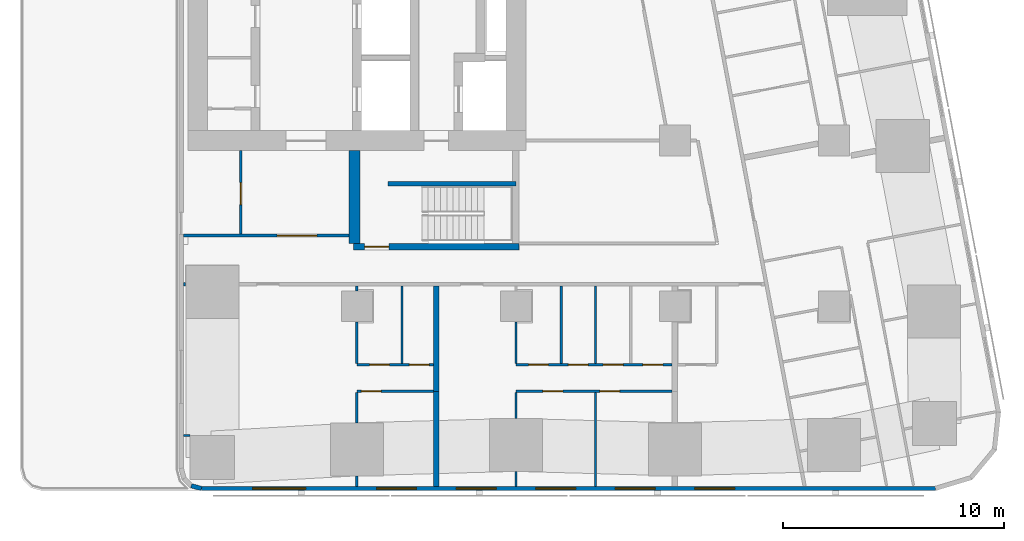
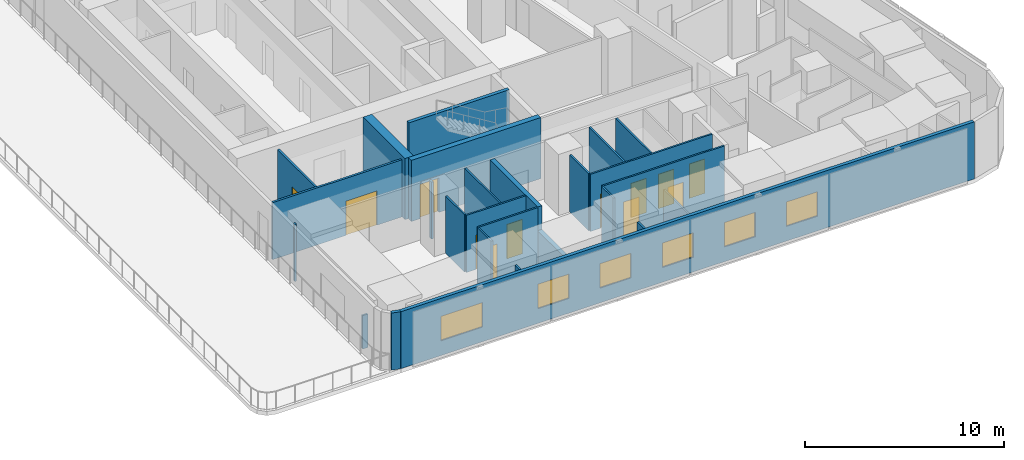
# One storey, part 2 of 11: 26 walls, 12 doors, 6 windows, 18 openings.
"""IFC4 building model written with IfcOpenShell, lengths in metres."""

from ifc_helpers import new_model, si_unit, direction, frame, frame_2d, origin, place, context, subcontext, project, spatial, rectangle, extrude, material, layer, layer_set, type_object, element, fill, save


model = new_model("IFC4")

# Units and contexts
model_context = context("Model", 3, precision=1e-05, world=origin(), true_north=direction((0.0, 1.0)))
body_context = subcontext(model_context, "Body", "Model", "MODEL_VIEW")
ifc_project = project(units=[si_unit("LENGTHUNIT", "METRE"), si_unit("AREAUNIT", "SQUARE_METRE"), si_unit("VOLUMEUNIT", "CUBIC_METRE"), si_unit("PLANEANGLEUNIT", "RADIAN"), si_unit("MASSUNIT", "GRAM", prefix="KILO")], contexts=[model_context])

# Site, building, storey
site_placement = place(None, origin())
site = spatial("IfcSite", under=ifc_project, at=site_placement, CompositionType="ELEMENT")
building_placement = place(site_placement, origin())
building = spatial("IfcBuilding", under=site, at=building_placement, Name="Sheger Commons Tower", CompositionType="ELEMENT")
storey_placement = place(building_placement, frame((0.0, 0.0, 223.699951171875)))
storey = spatial("IfcBuildingStorey", under=building, at=storey_placement, Name="L57", CompositionType="ELEMENT", Elevation=223.699951171875)

# Walls
ifc_material_1 = material(Name="Hollow concrete block masonry, skimmed both sides", Category="masonry")
ifc_layer_1 = layer(ifc_material_1, 0.14990234375)
ifc_layer_set_1 = layer_set([ifc_layer_1], Name="CORRIDOR WALL 150")
wall_type_1 = type_object("IfcWallType", Name="CORRIDOR WALL 150", PredefinedType="SOLIDWALL", material=ifc_layer_set_1)
wall_1_placement = place(storey_placement, frame((13.85302734375, 8.5, 0.0), z_axis=(0.0, 0.0, 1.0), x_axis=(-1.0, 0.0, 0.0)))
element("IfcWall", 1, at=wall_1_placement, inside=storey, type_object=wall_type_1, Name="Corridor wall L57", PredefinedType="SOLIDWALL", context=body_context, shape_type="SweptSolid", body=[
    extrude(rectangle(XDim=0.10302734375, YDim=0.14990234375, at=frame_2d((0.051513671875, 0.0))), origin(), (0.0, 0.0, 1.0), 3.5),
])
ifc_material_2 = material(Name="Dense concrete block masonry, plastered both sides (separating wall between flats)", Category="masonry")
ifc_layer_2 = layer(ifc_material_2, 0.25)
ifc_layer_set_2 = layer_set([ifc_layer_2], Name="DEMISING WALL 250")
wall_type_2 = type_object("IfcWallType", Name="DEMISING WALL 250", PredefinedType="SOLIDWALL", material=ifc_layer_set_2)
wall_2_placement = place(storey_placement, frame((25.199951171875, -0.64990234375, 0.0), z_axis=(0.0, 0.0, 1.0), x_axis=(0.0, 1.0, 0.0)))
element("IfcWall", 2, at=wall_2_placement, inside=storey, type_object=wall_type_2, Name="Demising wall L57", PredefinedType="SOLIDWALL", context=body_context, shape_type="SweptSolid", body=[
    extrude(rectangle(XDim=4.2998046875, YDim=0.25, at=frame_2d((2.14990234375, 0.0))), origin(), (0.0, 0.0, 1.0), 2.050048828125),
])
wall_3_placement = place(storey_placement, frame((25.199951171875, 3.64990234375, 0.0), z_axis=(0.0, 0.0, 1.0), x_axis=(0.0, 1.0, 0.0)))
element("IfcWall", 3, at=wall_3_placement, inside=storey, type_object=wall_type_2, Name="Demising wall L57", PredefinedType="SOLIDWALL", context=body_context, shape_type="SweptSolid", body=[
    extrude(rectangle(XDim=4.775146484375, YDim=0.25, at=frame_2d((2.3876953125, 0.0))), origin(), (0.0, 0.0, 1.0), 3.5),
])

# Wall, openings, windows
ifc_material_3 = material(Name="Rendered concrete block masonry, dark grey", Category="masonry")
ifc_layer_3 = layer(ifc_material_3, 0.199951171875)
ifc_layer_set_3 = layer_set([ifc_layer_3], Name="FACADE WALL 200")
wall_type_3 = type_object("IfcWallType", Name="FACADE WALL 200", PredefinedType="SOLIDWALL", material=ifc_layer_set_3)
wall_4_placement = place(storey_placement, frame((14.56298828125, -0.75, 0.0), z_axis=(0.0, 0.0, 1.0), x_axis=(1.0, 0.0, 0.0)))
wall_4 = element("IfcWall", 4, at=wall_4_placement, inside=storey, type_object=wall_type_3, Name="Facade wall L57", PredefinedType="SOLIDWALL", context=body_context, shape_type="SweptSolid", body=[
    extrude(rectangle(XDim=33.22802734375, YDim=0.199951171875, at=frame_2d((16.614013671875, 0.0))), origin(), (0.0, 0.0, 1.0), 3.5),
])
opening_1_placement = place(wall_4_placement, frame((2.319091796875, 0.0, 0.89990234375)))
opening_1 = element("IfcOpeningElement", 5, at=opening_1_placement, cuts=wall_4, Name="Opening W1", PredefinedType="OPENING", context=body_context, shape_type="SweptSolid", body=[
    extrude(rectangle(XDim=2.39990234375, YDim=1.5, at=frame_2d((1.199951171875, 0.75))), frame((0.0, 0.10986328125, 0.0), z_axis=(0.0, -1.0, 0.0), x_axis=(1.0, 0.0, 0.0)), (0.0, 0.0, 1.0), 0.219970703125),
])
opening_2_placement = place(wall_4_placement, frame((7.93701171875, 0.0, 0.89990234375)))
opening_2 = element("IfcOpeningElement", 6, at=opening_2_placement, cuts=wall_4, Name="Opening W2", PredefinedType="OPENING", context=body_context, shape_type="SweptSolid", body=[
    extrude(rectangle(XDim=1.800048828125, YDim=1.5, at=frame_2d((0.89990234375, 0.75))), frame((0.0, 0.10986328125, 0.0), z_axis=(0.0, -1.0, 0.0), x_axis=(1.0, 0.0, 0.0)), (0.0, 0.0, 1.0), 0.219970703125),
])
opening_3_placement = place(wall_4_placement, frame((11.537109375, 0.0, 0.89990234375)))
opening_3 = element("IfcOpeningElement", 7, at=opening_3_placement, cuts=wall_4, Name="Opening W2", PredefinedType="OPENING", context=body_context, shape_type="SweptSolid", body=[
    extrude(rectangle(XDim=1.800048828125, YDim=1.5, at=frame_2d((0.89990234375, 0.75))), frame((0.0, 0.10986328125, 0.0), z_axis=(0.0, -1.0, 0.0), x_axis=(1.0, 0.0, 0.0)), (0.0, 0.0, 1.0), 0.219970703125),
])
opening_4_placement = place(wall_4_placement, frame((15.136962890625, 0.0, 0.89990234375)))
opening_4 = element("IfcOpeningElement", 8, at=opening_4_placement, cuts=wall_4, Name="Opening W2", PredefinedType="OPENING", context=body_context, shape_type="SweptSolid", body=[
    extrude(rectangle(XDim=1.800048828125, YDim=1.5, at=frame_2d((0.89990234375, 0.75))), frame((0.0, 0.10986328125, 0.0), z_axis=(0.0, -1.0, 0.0), x_axis=(1.0, 0.0, 0.0)), (0.0, 0.0, 1.0), 0.219970703125),
])
opening_5_placement = place(wall_4_placement, frame((18.737060546875, 0.0, 0.89990234375)))
opening_5 = element("IfcOpeningElement", 9, at=opening_5_placement, cuts=wall_4, Name="Opening W2", PredefinedType="OPENING", context=body_context, shape_type="SweptSolid", body=[
    extrude(rectangle(XDim=1.800048828125, YDim=1.5, at=frame_2d((0.89990234375, 0.75))), frame((0.0, 0.10986328125, 0.0), z_axis=(0.0, -1.0, 0.0), x_axis=(1.0, 0.0, 0.0)), (0.0, 0.0, 1.0), 0.219970703125),
])
opening_6_placement = place(wall_4_placement, frame((22.3369140625, 0.0, 0.89990234375)))
opening_6 = element("IfcOpeningElement", 10, at=opening_6_placement, cuts=wall_4, Name="Opening W2", PredefinedType="OPENING", context=body_context, shape_type="SweptSolid", body=[
    extrude(rectangle(XDim=1.800048828125, YDim=1.5, at=frame_2d((0.89990234375, 0.75))), frame((0.0, 0.10986328125, 0.0), z_axis=(0.0, -1.0, 0.0), x_axis=(1.0, 0.0, 0.0)), (0.0, 0.0, 1.0), 0.219970703125),
])
ifc_material_4 = material(Name="Black aluminium frame, dark tinted double glazing", Category="aluminium")
window_type_1 = type_object("IfcWindowType", Name="WINDOW W1 2400x1500", PartitioningType="SINGLE_PANEL", PredefinedType="WINDOW", material=ifc_material_4)
window_1_placement = place(opening_1_placement, origin())
window_1 = element("IfcWindow", 11, at=window_1_placement, inside=storey, type_object=window_type_1, Name="Window W1 2400X1500", OverallHeight=1.5, OverallWidth=2.39990234375, PartitioningType="SINGLE_PANEL", PredefinedType="WINDOW", context=body_context, shape_type="SweptSolid", body=[
    extrude(rectangle(XDim=2.39990234375, YDim=1.5, at=frame_2d((1.199951171875, 0.75))), frame((0.0, 0.030029296875, 0.0), z_axis=(0.0, -1.0, 0.0), x_axis=(1.0, 0.0, 0.0)), (0.0, 0.0, 1.0), 0.06005859375),
])
fill(opening_1, window_1)
ifc_material_5 = material(Name="Black aluminium frame, dark tinted double glazing", Category="aluminium")
window_type_2 = type_object("IfcWindowType", Name="WINDOW W2 1800x1500", PartitioningType="SINGLE_PANEL", PredefinedType="WINDOW", material=ifc_material_5)
window_2_placement = place(opening_2_placement, origin())
window_2 = element("IfcWindow", 12, at=window_2_placement, inside=storey, type_object=window_type_2, Name="Window W2 1800X1500", OverallHeight=1.5, OverallWidth=1.800048828125, PartitioningType="SINGLE_PANEL", PredefinedType="WINDOW", context=body_context, shape_type="SweptSolid", body=[
    extrude(rectangle(XDim=1.800048828125, YDim=1.5, at=frame_2d((0.89990234375, 0.75))), frame((0.0, 0.030029296875, 0.0), z_axis=(0.0, -1.0, 0.0), x_axis=(1.0, 0.0, 0.0)), (0.0, 0.0, 1.0), 0.06005859375),
])
fill(opening_2, window_2)
window_3_placement = place(opening_3_placement, origin())
window_3 = element("IfcWindow", 13, at=window_3_placement, inside=storey, type_object=window_type_2, Name="Window W2 1800X1500", OverallHeight=1.5, OverallWidth=1.800048828125, PartitioningType="SINGLE_PANEL", PredefinedType="WINDOW", context=body_context, shape_type="SweptSolid", body=[
    extrude(rectangle(XDim=1.800048828125, YDim=1.5, at=frame_2d((0.89990234375, 0.75))), frame((0.0, 0.030029296875, 0.0), z_axis=(0.0, -1.0, 0.0), x_axis=(1.0, 0.0, 0.0)), (0.0, 0.0, 1.0), 0.06005859375),
])
fill(opening_3, window_3)
window_4_placement = place(opening_4_placement, origin())
window_4 = element("IfcWindow", 14, at=window_4_placement, inside=storey, type_object=window_type_2, Name="Window W2 1800X1500", OverallHeight=1.5, OverallWidth=1.800048828125, PartitioningType="SINGLE_PANEL", PredefinedType="WINDOW", context=body_context, shape_type="SweptSolid", body=[
    extrude(rectangle(XDim=1.800048828125, YDim=1.5, at=frame_2d((0.89990234375, 0.75))), frame((0.0, 0.030029296875, 0.0), z_axis=(0.0, -1.0, 0.0), x_axis=(1.0, 0.0, 0.0)), (0.0, 0.0, 1.0), 0.06005859375),
])
fill(opening_4, window_4)
window_5_placement = place(opening_5_placement, origin())
window_5 = element("IfcWindow", 15, at=window_5_placement, inside=storey, type_object=window_type_2, Name="Window W2 1800X1500", OverallHeight=1.5, OverallWidth=1.800048828125, PartitioningType="SINGLE_PANEL", PredefinedType="WINDOW", context=body_context, shape_type="SweptSolid", body=[
    extrude(rectangle(XDim=1.800048828125, YDim=1.5, at=frame_2d((0.89990234375, 0.75))), frame((0.0, 0.030029296875, 0.0), z_axis=(0.0, -1.0, 0.0), x_axis=(1.0, 0.0, 0.0)), (0.0, 0.0, 1.0), 0.06005859375),
])
fill(opening_5, window_5)
window_6_placement = place(opening_6_placement, origin())
window_6 = element("IfcWindow", 16, at=window_6_placement, inside=storey, type_object=window_type_2, Name="Window W2 1800X1500", OverallHeight=1.5, OverallWidth=1.800048828125, PartitioningType="SINGLE_PANEL", PredefinedType="WINDOW", context=body_context, shape_type="SweptSolid", body=[
    extrude(rectangle(XDim=1.800048828125, YDim=1.5, at=frame_2d((0.89990234375, 0.75))), frame((0.0, 0.030029296875, 0.0), z_axis=(0.0, -1.0, 0.0), x_axis=(1.0, 0.0, 0.0)), (0.0, 0.0, 1.0), 0.06005859375),
])
fill(opening_6, window_6)

# Walls
wall_5_placement = place(storey_placement, frame((14.10205078125, -0.6259765625, 0.0), z_axis=(0.0, 0.0, 1.0), x_axis=(0.965655254015, -0.259826731483, 0.0)))
element("IfcWall", 17, at=wall_5_placement, inside=storey, type_object=wall_type_3, Name="Facade wall L57", PredefinedType="SOLIDWALL", context=body_context, shape_type="SweptSolid", body=[
    extrude(rectangle(XDim=0.477294921875, YDim=0.199951171875, at=frame_2d((0.23876953125, 0.0))), origin(), (0.0, 0.0, 1.0), 3.5),
])
ifc_material_6 = material(Name="Gypsum board on steel studs", Category="steel")
ifc_layer_4 = layer(ifc_material_6, 0.10009765625)
ifc_layer_set_4 = layer_set([ifc_layer_4], Name="PARTITION 100")
wall_type_4 = type_object("IfcWallType", Name="PARTITION 100", PredefinedType="PARTITIONING", material=ifc_layer_set_4)
wall_6_placement = place(storey_placement, frame((13.75, 1.654052734375, 0.0), z_axis=(0.0, 0.0, 1.0), x_axis=(1.0, 0.0, 0.0)))
element("IfcWall", 18, at=wall_6_placement, inside=storey, type_object=wall_type_4, Name="Partition L57", PredefinedType="PARTITIONING", context=body_context, shape_type="SweptSolid", body=[
    extrude(rectangle(XDim=0.303955078125, YDim=0.10009765625, at=frame_2d((0.15185546875, 0.0))), origin(), (0.0, 0.0, 1.0), 2.050048828125),
])

# Wall, opening, door
wall_7_placement = place(storey_placement, frame((25.074951171875, 3.64990234375, 0.0), z_axis=(0.0, 0.0, 1.0), x_axis=(-1.0, 0.0, 0.0)))
wall_7 = element("IfcWall", 19, at=wall_7_placement, inside=storey, type_object=wall_type_4, Name="Partition L57", PredefinedType="PARTITIONING", context=body_context, shape_type="SweptSolid", body=[
    extrude(rectangle(XDim=3.474853515625, YDim=0.10009765625, at=frame_2d((1.7373046875, 0.0))), origin(), (0.0, 0.0, 1.0), 3.5),
])
opening_7_placement = place(wall_7_placement, frame((2.375, 0.0, 0.0)))
opening_7 = element("IfcOpeningElement", 20, at=opening_7_placement, cuts=wall_7, Name="Opening D2", PredefinedType="OPENING", context=body_context, shape_type="SweptSolid", body=[
    extrude(rectangle(XDim=0.89990234375, YDim=2.10009765625, at=frame_2d((0.449951171875, 1.050048828125))), frame((0.0, 0.06005859375, 0.0), z_axis=(0.0, -1.0, 0.0), x_axis=(1.0, 0.0, 0.0)), (0.0, 0.0, 1.0), 0.1201171875),
])
ifc_material_7 = material(Name="Timber door set", Category="wood")
door_type_1 = type_object("IfcDoorType", Name="INTERNAL DOOR 900x2100", OperationType="NOTDEFINED", PredefinedType="DOOR", material=ifc_material_7)
door_1_placement = place(opening_7_placement, origin())
door_1 = element("IfcDoor", 21, at=door_1_placement, inside=storey, type_object=door_type_1, Name="Main bedroom door", OperationType="SINGLE_SWING_RIGHT", OverallHeight=2.10009765625, OverallWidth=0.89990234375, PredefinedType="DOOR", context=body_context, shape_type="SweptSolid", body=[
    extrude(rectangle(XDim=0.89990234375, YDim=2.10009765625, at=frame_2d((0.449951171875, 1.050048828125))), frame((0.0, 0.02490234375, 0.0), z_axis=(0.0, -1.0, 0.0), x_axis=(1.0, 0.0, 0.0)), (0.0, 0.0, 1.0), 0.050048828125),
])
fill(opening_7, door_1)

# Wall, openings, doors
wall_8_placement = place(storey_placement, frame((25.074951171875, 4.85009765625, 0.0), z_axis=(0.0, 0.0, 1.0), x_axis=(-1.0, 0.0, 0.0)))
wall_8 = element("IfcWall", 22, at=wall_8_placement, inside=storey, type_object=wall_type_4, Name="Partition L57", PredefinedType="PARTITIONING", context=body_context, shape_type="SweptSolid", body=[
    extrude(rectangle(XDim=3.474853515625, YDim=0.10009765625, at=frame_2d((1.7373046875, 0.0))), origin(), (0.0, 0.0, 1.0), 3.5),
])
opening_8_placement = place(wall_8_placement, frame((2.0, 0.0, 0.0)))
opening_8 = element("IfcOpeningElement", 23, at=opening_8_placement, cuts=wall_8, Name="Opening D2", PredefinedType="OPENING", context=body_context, shape_type="SweptSolid", body=[
    extrude(rectangle(XDim=0.89990234375, YDim=2.10009765625, at=frame_2d((0.449951171875, 1.050048828125))), frame((0.0, 0.06005859375, 0.0), z_axis=(0.0, -1.0, 0.0), x_axis=(1.0, 0.0, 0.0)), (0.0, 0.0, 1.0), 0.1201171875),
])
opening_9_placement = place(wall_8_placement, frame((0.199951171875, 0.0, 0.0)))
opening_9 = element("IfcOpeningElement", 24, at=opening_9_placement, cuts=wall_8, Name="Opening D2", PredefinedType="OPENING", context=body_context, shape_type="SweptSolid", body=[
    extrude(rectangle(XDim=0.89990234375, YDim=2.10009765625, at=frame_2d((0.449951171875, 1.050048828125))), frame((0.0, 0.06005859375, 0.0), z_axis=(0.0, -1.0, 0.0), x_axis=(1.0, 0.0, 0.0)), (0.0, 0.0, 1.0), 0.1201171875),
])
door_2_placement = place(opening_8_placement, origin())
door_2 = element("IfcDoor", 25, at=door_2_placement, inside=storey, type_object=door_type_1, Name="Bathroom door", OperationType="SINGLE_SWING_LEFT", OverallHeight=2.10009765625, OverallWidth=0.89990234375, PredefinedType="DOOR", context=body_context, shape_type="SweptSolid", body=[
    extrude(rectangle(XDim=0.89990234375, YDim=2.10009765625, at=frame_2d((0.449951171875, 1.050048828125))), frame((0.0, 0.02490234375, 0.0), z_axis=(0.0, -1.0, 0.0), x_axis=(1.0, 0.0, 0.0)), (0.0, 0.0, 1.0), 0.050048828125),
])
fill(opening_8, door_2)
door_3_placement = place(opening_9_placement, origin())
door_3 = element("IfcDoor", 26, at=door_3_placement, inside=storey, type_object=door_type_1, Name="Store door", OperationType="SINGLE_SWING_RIGHT", OverallHeight=2.10009765625, OverallWidth=0.89990234375, PredefinedType="DOOR", context=body_context, shape_type="SweptSolid", body=[
    extrude(rectangle(XDim=0.89990234375, YDim=2.10009765625, at=frame_2d((0.449951171875, 1.050048828125))), frame((0.0, 0.02490234375, 0.0), z_axis=(0.0, -1.0, 0.0), x_axis=(1.0, 0.0, 0.0)), (0.0, 0.0, 1.0), 0.050048828125),
])
fill(opening_9, door_3)

# Walls
wall_9_placement = place(storey_placement, frame((21.60009765625, -0.64990234375, 0.0), z_axis=(0.0, 0.0, 1.0), x_axis=(0.0, 1.0, 0.0)))
element("IfcWall", 27, at=wall_9_placement, inside=storey, type_object=wall_type_4, Name="Partition L57", PredefinedType="PARTITIONING", context=body_context, shape_type="SweptSolid", body=[
    extrude(rectangle(XDim=0.473876953125, YDim=0.10009765625, at=frame_2d((0.23681640625, 0.0))), origin(), (0.0, 0.0, 1.0), 3.5),
])
wall_10_placement = place(storey_placement, frame((21.60009765625, 2.22607421875, 0.0), z_axis=(0.0, 0.0, 1.0), x_axis=(0.0, 1.0, 0.0)))
element("IfcWall", 28, at=wall_10_placement, inside=storey, type_object=wall_type_4, Name="Partition L57", PredefinedType="PARTITIONING", context=body_context, shape_type="SweptSolid", body=[
    extrude(rectangle(XDim=1.3740234375, YDim=0.10009765625, at=frame_2d((0.68701171875, 0.0))), origin(), (0.0, 0.0, 1.0), 3.5),
])
wall_11_placement = place(storey_placement, frame((21.60009765625, 4.89990234375, 0.0), z_axis=(0.0, 0.0, 1.0), x_axis=(0.0, 1.0, 0.0)))
element("IfcWall", 29, at=wall_11_placement, inside=storey, type_object=wall_type_4, Name="Partition L57", PredefinedType="PARTITIONING", context=body_context, shape_type="SweptSolid", body=[
    extrude(rectangle(XDim=1.899169921875, YDim=0.10009765625, at=frame_2d((0.94970703125, 0.0))), origin(), (0.0, 0.0, 1.0), 3.5),
])
wall_12_placement = place(storey_placement, frame((21.60009765625, 8.200927734375, 0.0), z_axis=(0.0, 0.0, 1.0), x_axis=(0.0, 1.0, 0.0)))
element("IfcWall", 30, at=wall_12_placement, inside=storey, type_object=wall_type_4, Name="Partition L57", PredefinedType="PARTITIONING", context=body_context, shape_type="SweptSolid", body=[
    extrude(rectangle(XDim=0.22412109375, YDim=0.10009765625, at=frame_2d((0.112060546875, 0.0))), origin(), (0.0, 0.0, 1.0), 3.5),
])
wall_13_placement = place(storey_placement, frame((23.64990234375, 4.89990234375, 0.0), z_axis=(0.0, 0.0, 1.0), x_axis=(0.0, 1.0, 0.0)))
element("IfcWall", 31, at=wall_13_placement, inside=storey, type_object=wall_type_4, Name="Partition L57", PredefinedType="PARTITIONING", context=body_context, shape_type="SweptSolid", body=[
    extrude(rectangle(XDim=3.525146484375, YDim=0.10009765625, at=frame_2d((1.7626953125, 0.0))), origin(), (0.0, 0.0, 1.0), 3.5),
])

# Wall, openings, doors
wall_14_placement = place(storey_placement, frame((35.875, 3.64990234375, 0.0), z_axis=(0.0, 0.0, 1.0), x_axis=(-1.0, 0.0, 0.0)))
wall_14 = element("IfcWall", 32, at=wall_14_placement, inside=storey, type_object=wall_type_4, Name="Partition L57", PredefinedType="PARTITIONING", context=body_context, shape_type="SweptSolid", body=[
    extrude(rectangle(XDim=7.074951171875, YDim=0.10009765625, at=frame_2d((3.53759765625, 0.0))), origin(), (0.0, 0.0, 1.0), 3.5),
])
opening_10_placement = place(wall_14_placement, frame((4.949951171875, 0.0, 0.0)))
opening_10 = element("IfcOpeningElement", 33, at=opening_10_placement, cuts=wall_14, Name="Opening D2", PredefinedType="OPENING", context=body_context, shape_type="SweptSolid", body=[
    extrude(rectangle(XDim=0.89990234375, YDim=2.10009765625, at=frame_2d((0.449951171875, 1.050048828125))), frame((0.0, 0.06005859375, 0.0), z_axis=(0.0, -1.0, 0.0), x_axis=(1.0, 0.0, 0.0)), (0.0, 0.0, 1.0), 0.1201171875),
])
opening_11_placement = place(wall_14_placement, frame((2.375, 0.0, 0.0)))
opening_11 = element("IfcOpeningElement", 34, at=opening_11_placement, cuts=wall_14, Name="Opening D2", PredefinedType="OPENING", context=body_context, shape_type="SweptSolid", body=[
    extrude(rectangle(XDim=0.89990234375, YDim=2.10009765625, at=frame_2d((0.449951171875, 1.050048828125))), frame((0.0, 0.06005859375, 0.0), z_axis=(0.0, -1.0, 0.0), x_axis=(1.0, 0.0, 0.0)), (0.0, 0.0, 1.0), 0.1201171875),
])
door_4_placement = place(opening_10_placement, origin())
door_4 = element("IfcDoor", 35, at=door_4_placement, inside=storey, type_object=door_type_1, Name="Main bedroom door", OperationType="SINGLE_SWING_RIGHT", OverallHeight=2.10009765625, OverallWidth=0.89990234375, PredefinedType="DOOR", context=body_context, shape_type="SweptSolid", body=[
    extrude(rectangle(XDim=0.89990234375, YDim=2.10009765625, at=frame_2d((0.449951171875, 1.050048828125))), frame((0.0, 0.02490234375, 0.0), z_axis=(0.0, -1.0, 0.0), x_axis=(1.0, 0.0, 0.0)), (0.0, 0.0, 1.0), 0.050048828125),
])
fill(opening_10, door_4)
door_5_placement = place(opening_11_placement, origin())
door_5 = element("IfcDoor", 36, at=door_5_placement, inside=storey, type_object=door_type_1, Name="Bedroom 2 door", OperationType="SINGLE_SWING_RIGHT", OverallHeight=2.10009765625, OverallWidth=0.89990234375, PredefinedType="DOOR", context=body_context, shape_type="SweptSolid", body=[
    extrude(rectangle(XDim=0.89990234375, YDim=2.10009765625, at=frame_2d((0.449951171875, 1.050048828125))), frame((0.0, 0.02490234375, 0.0), z_axis=(0.0, -1.0, 0.0), x_axis=(1.0, 0.0, 0.0)), (0.0, 0.0, 1.0), 0.050048828125),
])
fill(opening_11, door_5)

wall_15_placement = place(storey_placement, frame((35.875, 4.85009765625, 0.0), z_axis=(0.0, 0.0, 1.0), x_axis=(-1.0, 0.0, 0.0)))
wall_15 = element("IfcWall", 37, at=wall_15_placement, inside=storey, type_object=wall_type_4, Name="Partition L57", PredefinedType="PARTITIONING", context=body_context, shape_type="SweptSolid", body=[
    extrude(rectangle(XDim=7.074951171875, YDim=0.10009765625, at=frame_2d((3.53759765625, 0.0))), origin(), (0.0, 0.0, 1.0), 3.5),
])
opening_12_placement = place(wall_15_placement, frame((5.60009765625, 0.0, 0.0)))
opening_12 = element("IfcOpeningElement", 38, at=opening_12_placement, cuts=wall_15, Name="Opening D2", PredefinedType="OPENING", context=body_context, shape_type="SweptSolid", body=[
    extrude(rectangle(XDim=0.89990234375, YDim=2.10009765625, at=frame_2d((0.449951171875, 1.050048828125))), frame((0.0, 0.06005859375, 0.0), z_axis=(0.0, -1.0, 0.0), x_axis=(1.0, 0.0, 0.0)), (0.0, 0.0, 1.0), 0.1201171875),
])
opening_13_placement = place(wall_15_placement, frame((2.22509765625, 0.0, 0.0)))
opening_13 = element("IfcOpeningElement", 39, at=opening_13_placement, cuts=wall_15, Name="Opening D2", PredefinedType="OPENING", context=body_context, shape_type="SweptSolid", body=[
    extrude(rectangle(XDim=0.89990234375, YDim=2.10009765625, at=frame_2d((0.449951171875, 1.050048828125))), frame((0.0, 0.06005859375, 0.0), z_axis=(0.0, -1.0, 0.0), x_axis=(1.0, 0.0, 0.0)), (0.0, 0.0, 1.0), 0.1201171875),
])
opening_14_placement = place(wall_15_placement, frame((3.800048828125, 0.0, 0.0)))
opening_14 = element("IfcOpeningElement", 40, at=opening_14_placement, cuts=wall_15, Name="Opening D2", PredefinedType="OPENING", context=body_context, shape_type="SweptSolid", body=[
    extrude(rectangle(XDim=0.89990234375, YDim=2.10009765625, at=frame_2d((0.449951171875, 1.050048828125))), frame((0.0, 0.06005859375, 0.0), z_axis=(0.0, -1.0, 0.0), x_axis=(1.0, 0.0, 0.0)), (0.0, 0.0, 1.0), 0.1201171875),
])
opening_15_placement = place(wall_15_placement, frame((0.425048828125, 0.0, 0.0)))
opening_15 = element("IfcOpeningElement", 41, at=opening_15_placement, cuts=wall_15, Name="Opening D2", PredefinedType="OPENING", context=body_context, shape_type="SweptSolid", body=[
    extrude(rectangle(XDim=0.89990234375, YDim=2.10009765625, at=frame_2d((0.449951171875, 1.050048828125))), frame((0.0, 0.06005859375, 0.0), z_axis=(0.0, -1.0, 0.0), x_axis=(1.0, 0.0, 0.0)), (0.0, 0.0, 1.0), 0.1201171875),
])
door_6_placement = place(opening_12_placement, origin())
door_6 = element("IfcDoor", 42, at=door_6_placement, inside=storey, type_object=door_type_1, Name="Bathroom door", OperationType="SINGLE_SWING_LEFT", OverallHeight=2.10009765625, OverallWidth=0.89990234375, PredefinedType="DOOR", context=body_context, shape_type="SweptSolid", body=[
    extrude(rectangle(XDim=0.89990234375, YDim=2.10009765625, at=frame_2d((0.449951171875, 1.050048828125))), frame((0.0, 0.02490234375, 0.0), z_axis=(0.0, -1.0, 0.0), x_axis=(1.0, 0.0, 0.0)), (0.0, 0.0, 1.0), 0.050048828125),
])
fill(opening_12, door_6)
door_7_placement = place(opening_13_placement, origin())
door_7 = element("IfcDoor", 43, at=door_7_placement, inside=storey, type_object=door_type_1, Name="Shower room door", OperationType="SINGLE_SWING_LEFT", OverallHeight=2.10009765625, OverallWidth=0.89990234375, PredefinedType="DOOR", context=body_context, shape_type="SweptSolid", body=[
    extrude(rectangle(XDim=0.89990234375, YDim=2.10009765625, at=frame_2d((0.449951171875, 1.050048828125))), frame((0.0, 0.02490234375, 0.0), z_axis=(0.0, -1.0, 0.0), x_axis=(1.0, 0.0, 0.0)), (0.0, 0.0, 1.0), 0.050048828125),
])
fill(opening_13, door_7)
door_8_placement = place(opening_14_placement, origin())
door_8 = element("IfcDoor", 44, at=door_8_placement, inside=storey, type_object=door_type_1, Name="Store door", OperationType="SINGLE_SWING_LEFT", OverallHeight=2.10009765625, OverallWidth=0.89990234375, PredefinedType="DOOR", context=body_context, shape_type="SweptSolid", body=[
    extrude(rectangle(XDim=0.89990234375, YDim=2.10009765625, at=frame_2d((0.449951171875, 1.050048828125))), frame((0.0, 0.02490234375, 0.0), z_axis=(0.0, -1.0, 0.0), x_axis=(1.0, 0.0, 0.0)), (0.0, 0.0, 1.0), 0.050048828125),
])
fill(opening_14, door_8)
door_9_placement = place(opening_15_placement, origin())
door_9 = element("IfcDoor", 45, at=door_9_placement, inside=storey, type_object=door_type_1, Name="Store door", OperationType="SINGLE_SWING_RIGHT", OverallHeight=2.10009765625, OverallWidth=0.89990234375, PredefinedType="DOOR", context=body_context, shape_type="SweptSolid", body=[
    extrude(rectangle(XDim=0.89990234375, YDim=2.10009765625, at=frame_2d((0.449951171875, 1.050048828125))), frame((0.0, 0.02490234375, 0.0), z_axis=(0.0, -1.0, 0.0), x_axis=(1.0, 0.0, 0.0)), (0.0, 0.0, 1.0), 0.050048828125),
])
fill(opening_15, door_9)

# Walls
wall_16_placement = place(storey_placement, frame((28.800048828125, -0.64990234375, 0.0), z_axis=(0.0, 0.0, 1.0), x_axis=(0.0, 1.0, 0.0)))
element("IfcWall", 46, at=wall_16_placement, inside=storey, type_object=wall_type_4, Name="Partition L57", PredefinedType="PARTITIONING", context=body_context, shape_type="SweptSolid", body=[
    extrude(rectangle(XDim=0.673828125, YDim=0.10009765625, at=frame_2d((0.3369140625, 0.0))), origin(), (0.0, 0.0, 1.0), 3.5),
])
wall_17_placement = place(storey_placement, frame((28.800048828125, 2.426025390625, 0.0), z_axis=(0.0, 0.0, 1.0), x_axis=(0.0, 1.0, 0.0)))
element("IfcWall", 47, at=wall_17_placement, inside=storey, type_object=wall_type_4, Name="Partition L57", PredefinedType="PARTITIONING", context=body_context, shape_type="SweptSolid", body=[
    extrude(rectangle(XDim=1.174072265625, YDim=0.10009765625, at=frame_2d((0.5869140625, 0.0))), origin(), (0.0, 0.0, 1.0), 3.5),
])
wall_18_placement = place(storey_placement, frame((32.39990234375, -0.64990234375, 0.0), z_axis=(0.0, 0.0, 1.0), x_axis=(0.0, 1.0, 0.0)))
element("IfcWall", 48, at=wall_18_placement, inside=storey, type_object=wall_type_4, Name="Partition L57", PredefinedType="PARTITIONING", context=body_context, shape_type="SweptSolid", body=[
    extrude(rectangle(XDim=4.25, YDim=0.10009765625, at=frame_2d((2.125, 0.0))), origin(), (0.0, 0.0, 1.0), 2.050048828125),
])
wall_19_placement = place(storey_placement, frame((28.800048828125, 4.89990234375, 0.0), z_axis=(0.0, 0.0, 1.0), x_axis=(0.0, 1.0, 0.0)))
element("IfcWall", 49, at=wall_19_placement, inside=storey, type_object=wall_type_4, Name="Partition L57", PredefinedType="PARTITIONING", context=body_context, shape_type="SweptSolid", body=[
    extrude(rectangle(XDim=1.899169921875, YDim=0.10009765625, at=frame_2d((0.94970703125, 0.0))), origin(), (0.0, 0.0, 1.0), 3.5),
])
for number, where, z_axis, x_axis, name in (
    (50, (32.39990234375, 4.89990234375, 0.0), (0.0, 0.0, 1.0), (0.0, 1.0, 0.0), "Partition L57"),
    (51, (30.85009765625, 4.89990234375, 0.0), (0.0, 0.0, 1.0), (0.0, 1.0, 0.0), "Partition L57"),
):
    element("IfcWall", number, at=place(storey_placement, frame(where, z_axis=z_axis, x_axis=x_axis)), inside=storey, type_object=wall_type_4, Name=name, PredefinedType="PARTITIONING", context=body_context, shape_type="SweptSolid", body=[
        extrude(rectangle(XDim=3.525146484375, YDim=0.10009765625, at=frame_2d((1.7626953125, 0.0))), origin(), (0.0, 0.0, 1.0), 3.5),
    ])

# Wall, opening, door
ifc_material_8 = material(Name="Gypsum board on steel studs, two layers each side, fire rated", Category="steel")
ifc_layer_5 = layer(ifc_material_8, 0.125)
ifc_layer_set_5 = layer_set([ifc_layer_5], Name="SERVICE WALL 125")
wall_type_5 = type_object("IfcWallType", Name="SERVICE WALL 125", PredefinedType="PARTITIONING", material=ifc_layer_set_5)
wall_20_placement = place(storey_placement, frame((13.75, 10.699951171875, 0.0), z_axis=(0.0, 0.0, 1.0), x_axis=(1.0, 0.0, 0.0)))
wall_20 = element("IfcWall", 52, at=wall_20_placement, inside=storey, type_object=wall_type_5, Name="Service room wall L57", PredefinedType="PARTITIONING", context=body_context, shape_type="SweptSolid", body=[
    extrude(rectangle(XDim=7.5, YDim=0.125, at=frame_2d((3.75, 0.0))), origin(), (0.0, 0.0, 1.0), 3.5),
])
opening_16_placement = place(wall_20_placement, frame((4.2451171875, 0.0, 0.0)))
opening_16 = element("IfcOpeningElement", 53, at=opening_16_placement, cuts=wall_20, Name="Opening D6", PredefinedType="OPENING", context=body_context, shape_type="SweptSolid", body=[
    extrude(rectangle(XDim=1.800048828125, YDim=2.10009765625, at=frame_2d((0.89990234375, 1.050048828125))), frame((0.0, 0.072509765625, 0.0), z_axis=(0.0, -1.0, 0.0), x_axis=(1.0, 0.0, 0.0)), (0.0, 0.0, 1.0), 0.14501953125),
])
ifc_material_9 = material(Name="Steel door set, fire rated", Category="steel")
door_type_2 = type_object("IfcDoorType", Name="LOBBY DOUBLE DOOR 1800x2100", OperationType="DOUBLE_DOOR_SINGLE_SWING", PredefinedType="DOOR", material=ifc_material_9)
door_10_placement = place(opening_16_placement, origin())
door_10 = element("IfcDoor", 54, at=door_10_placement, inside=storey, type_object=door_type_2, Name="Lift lobby south door", OperationType="DOUBLE_DOOR_SINGLE_SWING", OverallHeight=2.10009765625, OverallWidth=1.800048828125, PredefinedType="DOOR", context=body_context, shape_type="SweptSolid", body=[
    extrude(rectangle(XDim=1.800048828125, YDim=2.10009765625, at=frame_2d((0.89990234375, 1.050048828125))), frame((0.0, 0.02490234375, 0.0), z_axis=(0.0, -1.0, 0.0), x_axis=(1.0, 0.0, 0.0)), (0.0, 0.0, 1.0), 0.050048828125),
])
fill(opening_16, door_10)

wall_21_placement = place(storey_placement, frame((16.340087890625, 10.761962890625, 0.0), z_axis=(0.0, 0.0, 1.0), x_axis=(0.0, 1.0, 0.0)))
wall_21 = element("IfcWall", 55, at=wall_21_placement, inside=storey, type_object=wall_type_5, Name="Service room wall L57", PredefinedType="PARTITIONING", context=body_context, shape_type="SweptSolid", body=[
    extrude(rectangle(XDim=3.7880859375, YDim=0.125, at=frame_2d((1.89404296875, 0.0))), origin(), (0.0, 0.0, 1.0), 3.5),
])
opening_17_placement = place(wall_21_placement, frame((1.337890625, 0.0, 0.0)))
opening_17 = element("IfcOpeningElement", 56, at=opening_17_placement, cuts=wall_21, Name="Opening D4", PredefinedType="OPENING", context=body_context, shape_type="SweptSolid", body=[
    extrude(rectangle(XDim=1.0, YDim=2.10009765625, at=frame_2d((0.5, 1.050048828125))), frame((0.0, 0.072509765625, 0.0), z_axis=(0.0, -1.0, 0.0), x_axis=(1.0, 0.0, 0.0)), (0.0, 0.0, 1.0), 0.14501953125),
])
ifc_material_10 = material(Name="Steel door set, fire rated", Category="steel")
door_type_3 = type_object("IfcDoorType", Name="SERVICE DOOR 1000x2100", OperationType="NOTDEFINED", PredefinedType="DOOR", material=ifc_material_10)
door_11_placement = place(opening_17_placement, origin())
door_11 = element("IfcDoor", 57, at=door_11_placement, inside=storey, type_object=door_type_3, Name="Electrical room door", OperationType="SINGLE_SWING_LEFT", OverallHeight=2.10009765625, OverallWidth=1.0, PredefinedType="DOOR", context=body_context, shape_type="SweptSolid", body=[
    extrude(rectangle(XDim=1.0, YDim=2.10009765625, at=frame_2d((0.5, 1.050048828125))), frame((0.0, 0.02490234375, 0.0), z_axis=(0.0, -1.0, 0.0), x_axis=(1.0, 0.0, 0.0)), (0.0, 0.0, 1.0), 0.050048828125),
])
fill(opening_17, door_11)

ifc_material_11 = material(Name="Concrete C50/60", Category="concrete")
ifc_layer_6 = layer(ifc_material_11, 0.300048828125)
ifc_layer_set_6 = layer_set([ifc_layer_6], Name="STAIR CORE WALL 300")
wall_type_6 = type_object("IfcWallType", Name="STAIR CORE WALL 300", PredefinedType="SHEAR", material=ifc_layer_set_6)
wall_22_placement = place(storey_placement, frame((21.449951171875, 10.199951171875, 0.0), z_axis=(0.0, 0.0, 1.0), x_axis=(1.0, 0.0, 0.0)))
wall_22 = element("IfcWall", 58, at=wall_22_placement, inside=storey, type_object=wall_type_6, Name="STW-L57-S1S", PredefinedType="SHEAR", context=body_context, shape_type="SweptSolid", body=[
    extrude(rectangle(XDim=7.5, YDim=0.300048828125, at=frame_2d((3.75, 0.0))), origin(), (0.0, 0.0, 1.0), 3.75),
])
opening_18_placement = place(wall_22_placement, frame((0.5, 0.0, 0.0)))
opening_18 = element("IfcOpeningElement", 59, at=opening_18_placement, cuts=wall_22, Name="Opening D5", PredefinedType="OPENING", context=body_context, shape_type="SweptSolid", body=[
    extrude(rectangle(XDim=1.10009765625, YDim=2.10009765625, at=frame_2d((0.550048828125, 1.050048828125))), frame((0.0, 0.159912109375, 0.0), z_axis=(0.0, -1.0, 0.0), x_axis=(1.0, 0.0, 0.0)), (0.0, 0.0, 1.0), 0.320068359375),
])
ifc_material_12 = material(Name="Steel door set, fire rated", Category="steel")
door_type_4 = type_object("IfcDoorType", Name="STAIR DOOR 1100x2100", OperationType="NOTDEFINED", PredefinedType="DOOR", material=ifc_material_12)
door_12_placement = place(opening_18_placement, origin())
door_12 = element("IfcDoor", 60, at=door_12_placement, inside=storey, type_object=door_type_4, Name="Stair S1 door", OperationType="SINGLE_SWING_LEFT", OverallHeight=2.10009765625, OverallWidth=1.10009765625, PredefinedType="DOOR", context=body_context, shape_type="SweptSolid", body=[
    extrude(rectangle(XDim=1.10009765625, YDim=2.10009765625, at=frame_2d((0.550048828125, 1.050048828125))), frame((0.0, 0.02490234375, 0.0), z_axis=(0.0, -1.0, 0.0), x_axis=(1.0, 0.0, 0.0)), (0.0, 0.0, 1.0), 0.050048828125),
])
fill(opening_18, door_12)

# Walls
ifc_material_13 = material(Name="Concrete C50/60", Category="concrete")
ifc_layer_7 = layer(ifc_material_13, 0.5)
ifc_layer_set_7 = layer_set([ifc_layer_7], Name="STAIR CORE WALL 500")
wall_type_7 = type_object("IfcWallType", Name="STAIR CORE WALL 500", PredefinedType="SHEAR", material=ifc_layer_set_7)
wall_23_placement = place(storey_placement, frame((21.5, 10.35009765625, 0.0), z_axis=(0.0, 0.0, 1.0), x_axis=(0.0, 1.0, 0.0)))
element("IfcWall", 61, at=wall_23_placement, inside=storey, type_object=wall_type_7, Name="STW-L57-S1W", PredefinedType="SHEAR", context=body_context, shape_type="SweptSolid", body=[
    extrude(rectangle(XDim=4.199951171875, YDim=0.5, at=frame_2d((2.10009765625, 0.0))), origin(), (0.0, 0.0, 1.0), 3.75),
])
ifc_material_14 = material(Name="Concrete C50/60", Category="concrete")
ifc_layer_8 = layer(ifc_material_14, 0.199951171875)
ifc_layer_set_8 = layer_set([ifc_layer_8], Name="STAIR SPINE WALL 200")
wall_type_8 = type_object("IfcWallType", Name="STAIR SPINE WALL 200", PredefinedType="SHEAR", material=ifc_layer_set_8)
wall_24_placement = place(storey_placement, frame((23.0, 13.050048828125, 0.0), z_axis=(0.0, 0.0, 1.0), x_axis=(1.0, 0.0, 0.0)))
element("IfcWall", 62, at=wall_24_placement, inside=storey, type_object=wall_type_8, Name="Stair spine wall L57", PredefinedType="SHEAR", context=body_context, shape_type="SweptSolid", body=[
    extrude(rectangle(XDim=5.800048828125, YDim=0.199951171875, at=frame_2d((2.89990234375, 0.0))), origin(), (0.0, 0.0, 1.0), 3.75),
])

save(model, "model.ifc")
